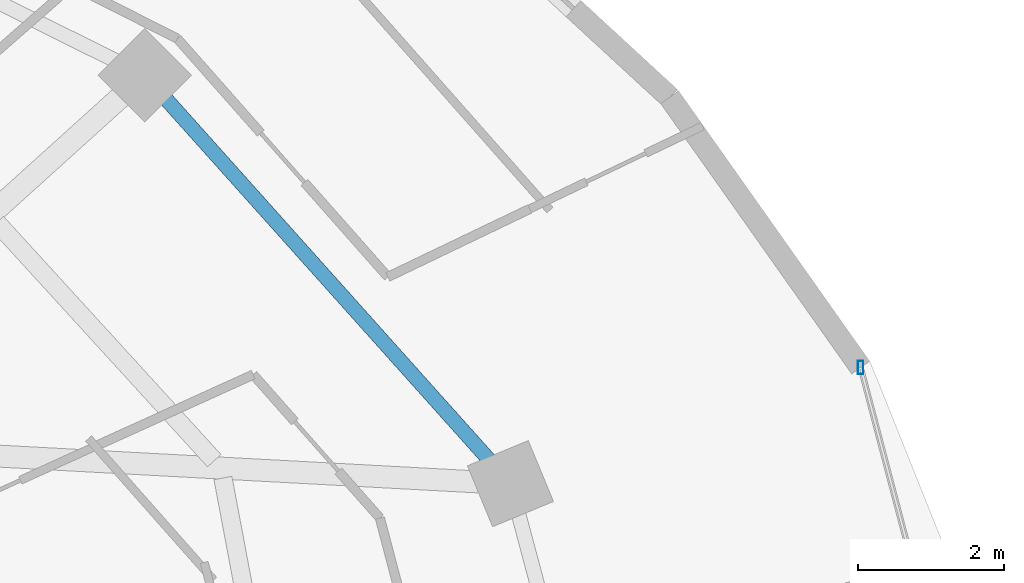
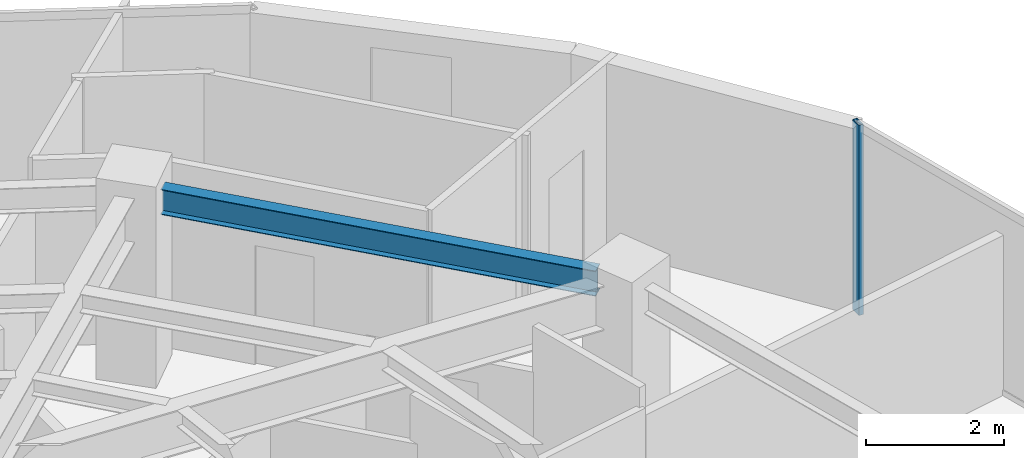
# One storey, part 16 of 34: 1 beam, 1 member, 1 element without a shape of its own.
"""IFC4 building model written with IfcOpenShell, lengths in metres."""

from ifc_helpers import new_model, si_unit, direction, frame, origin, origin_2d, place, context, subcontext, project, spatial, hollow_rectangle, i_section, extrude, material, material_profile, profile_set, type_object, element, aggregate, save


model = new_model("IFC4")

# Units and contexts
model_context = context("Model", 3, precision=1e-05, world=origin(), true_north=direction((0.0, 1.0)))
body_context = subcontext(model_context, "Body", "Model", "MODEL_VIEW")
ifc_project = project(units=[si_unit("LENGTHUNIT", "METRE"), si_unit("AREAUNIT", "SQUARE_METRE"), si_unit("VOLUMEUNIT", "CUBIC_METRE"), si_unit("PLANEANGLEUNIT", "RADIAN"), si_unit("MASSUNIT", "GRAM", prefix="KILO")], contexts=[model_context])

# Site, building, storey
site_placement = place(None, origin())
site = spatial("IfcSite", under=ifc_project, at=site_placement, CompositionType="ELEMENT")
building_placement = place(site_placement, origin())
building = spatial("IfcBuilding", under=site, at=building_placement, Name="Vorneva Point Tower", CompositionType="ELEMENT")
storey_placement = place(building_placement, frame((0.0, 0.0, 210.75)))
storey = spatial("IfcBuildingStorey", under=building, at=storey_placement, Name="L57", CompositionType="ELEMENT", Elevation=210.75)

# Beam
ifc_material_1 = material(Name="Steel S355", Category="steel")
ifc_material_profile_1 = material_profile(ifc_material_1, i_section(OverallWidth=0.198974609375, OverallDepth=0.446044921875, WebThickness=0.008056640625, FlangeThickness=0.011962890625, at=origin_2d()), Name="45B1")
ifc_profile_set_1 = profile_set([ifc_material_profile_1], Name="Steel S355")
beam_type = type_object("IfcBeamType", Name="BM-SPN-45B1", PredefinedType="SPANDREL", material=ifc_profile_set_1)
beam_placement = place(storey_placement, frame((59.005126953125, 32.90625, 3.06689453125), z_axis=(-0.66706970547, 0.744995307397, 0.0), x_axis=(-0.744995307397, -0.66706970547, 0.0)))
element("IfcBeam", 1, at=beam_placement, inside=storey, type_object=beam_type, Name="L57 Perimeter Spandrel Ring Beam 02", PredefinedType="SPANDREL", context=body_context, shape_type="SweptSolid", body=[
    extrude(i_section(OverallWidth=0.198974609375, OverallDepth=0.446044921875, WebThickness=0.008056640625, FlangeThickness=0.011962890625, at=origin_2d()), origin(), (0.0, 0.0, 1.0), 6.6201171875),
])

# Curtain wall, member
ifc_material_2 = material(Name="Pale anodised aluminium", Category="aluminium")
curtain_wall_type = type_object("IfcCurtainWallType", Name="CW-RES-SYS", PredefinedType="NOTDEFINED", material=ifc_material_2)
curtain_wall_placement = place(storey_placement, origin())
curtain_wall = element("IfcCurtainWall", 2, at=curtain_wall_placement, inside=storey, type_object=curtain_wall_type, Name="L57 Unitised Curtain Wall CW-L57-R01", PredefinedType="NOTDEFINED")
ifc_material_profile_2 = material_profile(ifc_material_2, hollow_rectangle(XDim=0.074951171875, YDim=0.179931640625, WallThickness=0.00390625, at=origin_2d()), Name="AL-MUL 180x75x4")
ifc_profile_set_2 = profile_set([ifc_material_profile_2], Name="Pale anodised aluminium")
member_type = type_object("IfcMemberType", Name="CW-MUL-180", PredefinedType="MULLION", material=ifc_profile_set_2)
member_placement = place(storey_placement, frame((64.0810546875, 34.17041015625, -0.0400390625), z_axis=(0.0, 0.0, 1.0), x_axis=(1.0, 0.0, 0.0)))
member = element("IfcMember", 3, at=member_placement, type_object=member_type, Name="CW-L57-R01 Mullion 03", PredefinedType="MULLION", context=body_context, shape_type="SweptSolid", body=[
    extrude(hollow_rectangle(XDim=0.074951171875, YDim=0.179931640625, WallThickness=0.00390625, at=origin_2d()), origin(), (0.0, 0.0, 1.0), 3.360107421875),
])
aggregate(curtain_wall, [member])

save(model, "model.ifc")
